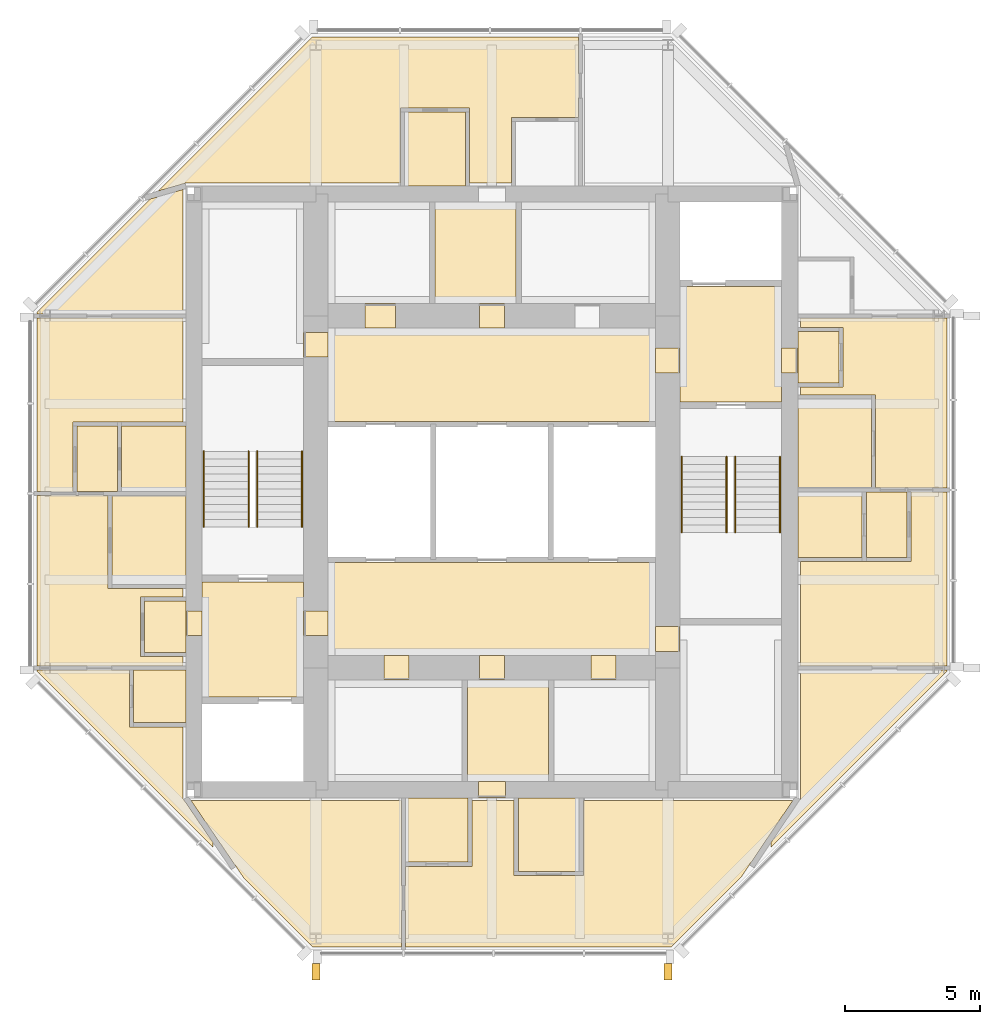
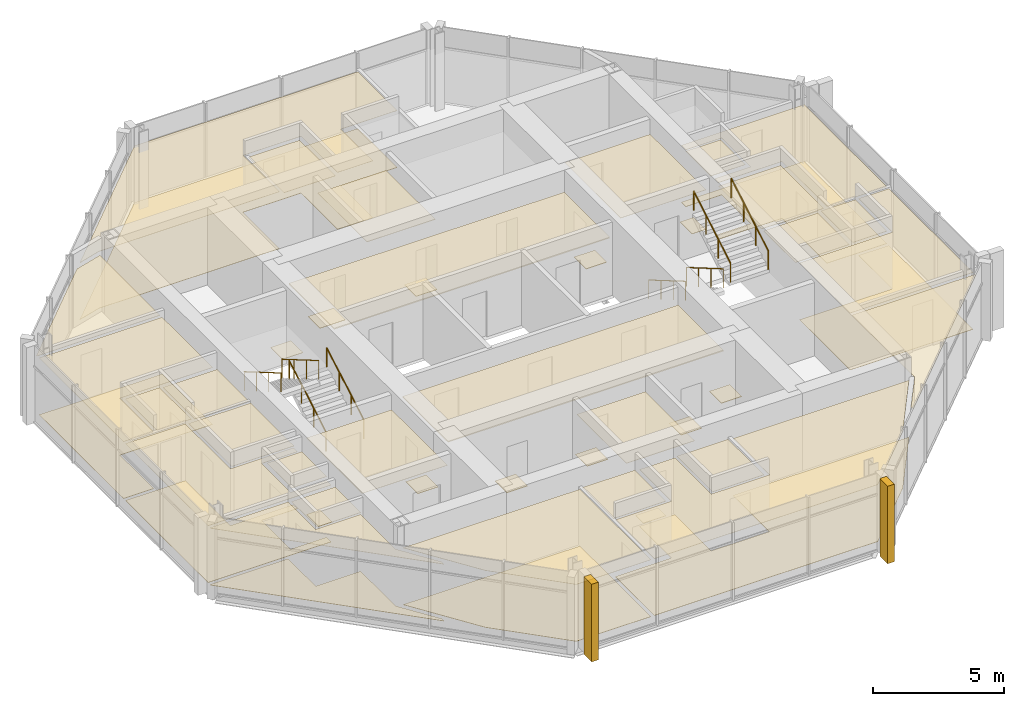
# One storey, part 8 of 9: 50 coverings, 8 railings.
"""IFC4 building model written with IfcOpenShell, lengths in metres."""

from ifc_helpers import new_model, si_unit, direction, frame, origin, origin_2d, place, context, subcontext, project, spatial, polyline, rectangle, circle, outline, extrude, material, layer, layer_set, type_object, element, save


model = new_model("IFC4")

# Units and contexts
model_context = context("Model", 3, precision=1e-05, world=origin(), true_north=direction((0.0, 1.0)))
body_context = subcontext(model_context, "Body", "Model", "MODEL_VIEW")
ifc_project = project(units=[si_unit("LENGTHUNIT", "METRE"), si_unit("AREAUNIT", "SQUARE_METRE"), si_unit("VOLUMEUNIT", "CUBIC_METRE"), si_unit("PLANEANGLEUNIT", "RADIAN"), si_unit("MASSUNIT", "GRAM", prefix="KILO")], contexts=[model_context])

# Site, building, storey
site_placement = place(None, origin())
site = spatial("IfcSite", under=ifc_project, at=site_placement, CompositionType="ELEMENT")
building_placement = place(site_placement, origin())
building = spatial("IfcBuilding", under=site, at=building_placement, Name="Trevanion Tower", CompositionType="ELEMENT")
storey_placement = place(building_placement, frame((0.0, 0.0, 277.60009765625)))
storey = spatial("IfcBuildingStorey", under=building, at=storey_placement, Name="L68", CompositionType="ELEMENT", Elevation=277.60009765625)

# Coverings
ifc_material_1 = material(Name="Fibrous plaster coffers on suspended steel grid", Category="steel")
ifc_layer_1 = layer(ifc_material_1, 0.050048828125)
ifc_layer_set_1 = layer_set([ifc_layer_1], Name="CL1 coffered fibrous plaster ceiling 50")
covering_type_1 = type_object("IfcCoveringType", Name="CL1 coffered fibrous plaster ceiling 50", PredefinedType="CEILING", material=ifc_layer_set_1)
covering_1_placement = place(storey_placement, frame((0.0, 0.0, 2.52978515625)))
element("IfcCovering", 1, at=covering_1_placement, inside=storey, type_object=covering_type_1, Name="CL1 L68-LBN", PredefinedType="CEILING", context=body_context, shape_type="SweptSolid", body=[
    extrude(outline(polyline([(6.050048828125, 2.60009765625), (6.050048828125, 6.050048828125), (-6.050048828125, 6.050048828125), (-6.050048828125, 2.60009765625), (6.050048828125, 2.60009765625)])), origin(), (0.0, 0.0, 1.0), 0.050048828125),
])
covering_2_placement = place(storey_placement, frame((0.0, 0.0, 2.52978515625)))
element("IfcCovering", 2, at=covering_2_placement, inside=storey, type_object=covering_type_1, Name="CL1 L68-LBS", PredefinedType="CEILING", context=body_context, shape_type="SweptSolid", body=[
    extrude(outline(polyline([(6.050048828125, -6.050048828125), (6.050048828125, -2.60009765625), (-6.050048828125, -2.60009765625), (-6.050048828125, -6.050048828125), (6.050048828125, -6.050048828125)])), origin(), (0.0, 0.0, 1.0), 0.050048828125),
])
ifc_material_2 = material(Name="Mineral fibre acoustic tiles in exposed grid", Category="mineral fibre")
ifc_layer_2 = layer(ifc_material_2, 0.02001953125)
ifc_layer_set_2 = layer_set([ifc_layer_2], Name="CL2 acoustic tile ceiling 20")
covering_type_2 = type_object("IfcCoveringType", Name="CL2 acoustic tile ceiling 20", PredefinedType="CEILING", material=ifc_layer_set_2)
covering_3_placement = place(storey_placement, frame((0.0, 0.0, 2.559814453125)))
element("IfcCovering", 3, at=covering_3_placement, inside=storey, type_object=covering_type_2, Name="CL2 L68-CNC", PredefinedType="CEILING", context=body_context, shape_type="SweptSolid", body=[
    extrude(outline(polyline([(0.89990234375, 6.949951171875), (0.89990234375, 10.699951171875), (-2.10009765625, 10.699951171875), (-2.10009765625, 6.949951171875), (0.89990234375, 6.949951171875)])), origin(), (0.0, 0.0, 1.0), 0.02001953125),
])
covering_4_placement = place(storey_placement, frame((0.0, 0.0, 2.559814453125)))
element("IfcCovering", 4, at=covering_4_placement, inside=storey, type_object=covering_type_2, Name="CL2 L68-CSC", PredefinedType="CEILING", context=body_context, shape_type="SweptSolid", body=[
    extrude(outline(polyline([(2.10009765625, -10.699951171875), (2.10009765625, -6.949951171875), (-0.89990234375, -6.949951171875), (-0.89990234375, -10.699951171875), (2.10009765625, -10.699951171875)])), origin(), (0.0, 0.0, 1.0), 0.02001953125),
])
ifc_material_3 = material(Name="Gypsum plasterboard on suspended metal furring", Category="gypsum")
ifc_layer_3 = layer(ifc_material_3, 0.012939453125)
ifc_layer_set_3 = layer_set([ifc_layer_3], Name="CL3 plasterboard ceiling 13")
covering_type_3 = type_object("IfcCoveringType", Name="CL3 plasterboard ceiling 13", PredefinedType="CEILING", material=ifc_layer_set_3)
covering_5_placement = place(storey_placement, frame((0.0, 0.0, 2.699951171875)))
element("IfcCovering", 5, at=covering_5_placement, inside=storey, type_object=covering_type_3, Name="CL3 L68-FV1", PredefinedType="CEILING", context=body_context, shape_type="SweptSolid", body=[
    extrude(outline(polyline([(10.699951171875, 3.324951171875), (10.699951171875, 7.574951171875), (6.949951171875, 7.574951171875), (6.949951171875, 3.324951171875), (10.699951171875, 3.324951171875)])), origin(), (0.0, 0.0, 1.0), 0.012939453125),
])
covering_6_placement = place(storey_placement, frame((0.0, 0.0, 2.699951171875)))
element("IfcCovering", 6, at=covering_6_placement, inside=storey, type_object=covering_type_3, Name="CL3 L68-FV2", PredefinedType="CEILING", context=body_context, shape_type="SweptSolid", body=[
    extrude(outline(polyline([(-10.699951171875, -3.324951171875), (-10.699951171875, -7.574951171875), (-6.949951171875, -7.574951171875), (-6.949951171875, -3.324951171875), (-10.699951171875, -3.324951171875)])), origin(), (0.0, 0.0, 1.0), 0.012939453125),
])
covering_7_placement = place(storey_placement, frame((0.0, 0.0, 2.699951171875)))
element("IfcCovering", 7, at=covering_7_placement, inside=storey, type_object=covering_type_3, Name="CL3 L68-REE", PredefinedType="CEILING", context=body_context, shape_type="SweptSolid", body=[
    extrude(outline(polyline([(12.824951171875, 4.02490234375), (12.824951171875, 5.925048828125), (11.300048828125, 5.925048828125), (11.300048828125, 4.02490234375), (12.824951171875, 4.02490234375)])), origin(), (0.0, 0.0, 1.0), 0.012939453125),
])
covering_8_placement = place(storey_placement, frame((0.0, 0.0, 2.64599609375)))
element("IfcCovering", 8, at=covering_8_placement, inside=storey, type_object=covering_type_3, Name="CL3 L68-REH", PredefinedType="CEILING", context=body_context, shape_type="SweptSolid", body=[
    extrude(outline(polyline([(15.324951171875, -2.425048828125), (15.324951171875, -0.010009765625), (13.824951171875, -0.010009765625), (13.824951171875, -2.425048828125), (15.324951171875, -2.425048828125)])), origin(), (0.0, 0.0, 1.0), 0.012939453125),
])
covering_9_placement = place(storey_placement, frame((0.0, 0.0, 2.640869140625)))
element("IfcCovering", 9, at=covering_9_placement, inside=storey, type_object=covering_type_3, Name="CL3 L68-REY", PredefinedType="CEILING", context=body_context, shape_type="SweptSolid", body=[
    extrude(outline(polyline([(10.300048828125, -13.124267578125), (10.300048828125, -12.962890625), (11.39990234375, -11.33056640625), (11.39990234375, -6.574951171875), (16.800048828125, -6.574951171875), (16.800048828125, -6.624267578125), (10.300048828125, -13.124267578125)])), origin(), (0.0, 0.0, 1.0), 0.012939453125),
])
covering_10_placement = place(storey_placement, frame((0.0, 0.0, 2.640869140625)))
element("IfcCovering", 10, at=covering_10_placement, inside=storey, type_object=covering_type_3, Name="CL3 L68-REB", PredefinedType="CEILING", context=body_context, shape_type="SweptSolid", body=[
    extrude(outline(polyline([(11.39990234375, -6.425048828125), (11.39990234375, -2.574951171875), (15.47509765625, -2.574951171875), (15.47509765625, -0.010009765625), (16.800048828125, -0.010009765625), (16.800048828125, -6.425048828125), (11.39990234375, -6.425048828125)])), origin(), (0.0, 0.0, 1.0), 0.012939453125),
])
covering_11_placement = place(storey_placement, frame((0.0, 0.0, 2.640869140625)))
element("IfcCovering", 11, at=covering_11_placement, inside=storey, type_object=covering_type_3, Name="CL3 L68-REL", PredefinedType="CEILING", context=body_context, shape_type="SweptSolid", body=[
    extrude(outline(polyline([(14.175048828125, 0.139892578125), (14.175048828125, 3.574951171875), (11.39990234375, 3.574951171875), (11.39990234375, 3.875), (12.97509765625, 3.875), (12.97509765625, 6.074951171875), (11.39990234375, 6.074951171875), (11.39990234375, 6.425048828125), (16.800048828125, 6.425048828125), (16.800048828125, 0.139892578125), (14.175048828125, 0.139892578125)])), origin(), (0.0, 0.0, 1.0), 0.012939453125),
])
covering_12_placement = place(storey_placement, frame((0.0, 0.0, 2.640869140625)))
element("IfcCovering", 12, at=covering_12_placement, inside=storey, type_object=covering_type_3, Name="CL3 L68-RNL", PredefinedType="CEILING", context=body_context, shape_type="SweptSolid", body=[
    extrude(outline(polyline([(3.19091796875, 13.824951171875), (0.72509765625, 13.824951171875), (0.72509765625, 11.39990234375), (-0.824951171875, 11.39990234375), (-0.824951171875, 14.175048828125), (-3.375, 14.175048828125), (-3.375, 11.39990234375), (-11.314208984375, 11.39990234375), (-12.313720703125, 11.110595703125), (-6.624267578125, 16.800048828125), (3.19091796875, 16.800048828125), (3.19091796875, 13.824951171875)])), origin(), (0.0, 0.0, 1.0), 0.012939453125),
])
covering_13_placement = place(storey_placement, frame((0.0, 0.0, 2.699951171875)))
element("IfcCovering", 13, at=covering_13_placement, inside=storey, type_object=covering_type_3, Name="CL3 L68-RWE", PredefinedType="CEILING", context=body_context, shape_type="SweptSolid", body=[
    extrude(outline(polyline([(-12.824951171875, -4.02490234375), (-12.824951171875, -5.925048828125), (-11.300048828125, -5.925048828125), (-11.300048828125, -4.02490234375), (-12.824951171875, -4.02490234375)])), origin(), (0.0, 0.0, 1.0), 0.012939453125),
])
covering_14_placement = place(storey_placement, frame((0.0, 0.0, 2.64599609375)))
element("IfcCovering", 14, at=covering_14_placement, inside=storey, type_object=covering_type_3, Name="CL3 L68-RWH", PredefinedType="CEILING", context=body_context, shape_type="SweptSolid", body=[
    extrude(outline(polyline([(-15.324951171875, 2.425048828125), (-15.324951171875, 0.010009765625), (-13.824951171875, 0.010009765625), (-13.824951171875, 2.425048828125), (-15.324951171875, 2.425048828125)])), origin(), (0.0, 0.0, 1.0), 0.012939453125),
])
covering_15_placement = place(storey_placement, frame((0.0, 0.0, 2.640869140625)))
element("IfcCovering", 15, at=covering_15_placement, inside=storey, type_object=covering_type_3, Name="CL3 L68-RWY", PredefinedType="CEILING", context=body_context, shape_type="SweptSolid", body=[
    extrude(outline(polyline([(-12.606689453125, 10.817626953125), (-11.39990234375, 11.1669921875), (-11.39990234375, 6.574951171875), (-16.800048828125, 6.574951171875), (-16.800048828125, 6.624267578125), (-12.606689453125, 10.817626953125)])), origin(), (0.0, 0.0, 1.0), 0.012939453125),
])
covering_16_placement = place(storey_placement, frame((0.0, 0.0, 2.640869140625)))
element("IfcCovering", 16, at=covering_16_placement, inside=storey, type_object=covering_type_3, Name="CL3 L68-RWB", PredefinedType="CEILING", context=body_context, shape_type="SweptSolid", body=[
    extrude(outline(polyline([(-11.39990234375, 6.425048828125), (-11.39990234375, 2.574951171875), (-15.47509765625, 2.574951171875), (-15.47509765625, 0.010009765625), (-16.800048828125, 0.010009765625), (-16.800048828125, 6.425048828125), (-11.39990234375, 6.425048828125)])), origin(), (0.0, 0.0, 1.0), 0.012939453125),
])
covering_17_placement = place(storey_placement, frame((0.0, 0.0, 2.640869140625)))
element("IfcCovering", 17, at=covering_17_placement, inside=storey, type_object=covering_type_3, Name="CL3 L68-RWL", PredefinedType="CEILING", context=body_context, shape_type="SweptSolid", body=[
    extrude(outline(polyline([(-14.175048828125, -0.139892578125), (-14.175048828125, -3.574951171875), (-11.39990234375, -3.574951171875), (-11.39990234375, -3.875), (-12.97509765625, -3.875), (-12.97509765625, -6.074951171875), (-11.39990234375, -6.074951171875), (-11.39990234375, -6.425048828125), (-16.800048828125, -6.425048828125), (-16.800048828125, -0.139892578125), (-14.175048828125, -0.139892578125)])), origin(), (0.0, 0.0, 1.0), 0.012939453125),
])
covering_18_placement = place(storey_placement, frame((0.0, 0.0, 2.640869140625)))
element("IfcCovering", 18, at=covering_18_placement, inside=storey, type_object=covering_type_3, Name="CL3 L68-RWB2", PredefinedType="CEILING", context=body_context, shape_type="SweptSolid", body=[
    extrude(outline(polyline([(-13.375, -6.574951171875), (-13.375, -8.675048828125), (-11.39990234375, -8.675048828125), (-11.39990234375, -11.330810546875), (-10.300048828125, -12.94384765625), (-10.300048828125, -13.124267578125), (-16.800048828125, -6.624267578125), (-16.800048828125, -6.574951171875), (-13.375, -6.574951171875)])), origin(), (0.0, 0.0, 1.0), 0.012939453125),
])
covering_19_placement = place(storey_placement, frame((0.0, 0.0, 2.640869140625)))
element("IfcCovering", 19, at=covering_19_placement, inside=storey, type_object=covering_type_3, Name="CL3 L68-RSB", PredefinedType="CEILING", context=body_context, shape_type="SweptSolid", body=[
    extrude(outline(polyline([(-11.11083984375, -11.39990234375), (-3.341064453125, -11.39990234375), (-3.341064453125, -16.800048828125), (-6.624267578125, -16.800048828125), (-9.15185546875, -14.272216796875), (-11.11083984375, -11.39990234375)])), origin(), (0.0, 0.0, 1.0), 0.012939453125),
])
covering_20_placement = place(storey_placement, frame((0.0, 0.0, 2.640869140625)))
element("IfcCovering", 20, at=covering_20_placement, inside=storey, type_object=covering_type_3, Name="CL3 L68-RSL", PredefinedType="CEILING", context=body_context, shape_type="SweptSolid", body=[
    extrude(outline(polyline([(9.227294921875, -14.197021484375), (6.624267578125, -16.800048828125), (-3.19091796875, -16.800048828125), (-3.19091796875, -13.824951171875), (-0.72509765625, -13.824951171875), (-0.72509765625, -11.39990234375), (0.824951171875, -11.39990234375), (0.824951171875, -14.175048828125), (3.375, -14.175048828125), (3.375, -11.39990234375), (11.112060546875, -11.39990234375), (9.227294921875, -14.197021484375)])), origin(), (0.0, 0.0, 1.0), 0.012939453125),
])
ifc_material_4 = material(Name="Moisture-resistant gypsum board on suspended metal furring", Category="gypsum")
ifc_layer_4 = layer(ifc_material_4, 0.01611328125)
ifc_layer_set_4 = layer_set([ifc_layer_4], Name="CL4 moisture-resistant board ceiling 16")
covering_type_4 = type_object("IfcCoveringType", Name="CL4 moisture-resistant board ceiling 16", PredefinedType="CEILING", material=ifc_layer_set_4)
covering_21_placement = place(storey_placement, frame((0.0, 0.0, 2.599853515625)))
element("IfcCovering", 21, at=covering_21_placement, inside=storey, type_object=covering_type_4, Name="CL4 L68-REK", PredefinedType="CEILING", context=body_context, shape_type="SweptSolid", body=[
    extrude(outline(polyline([(14.02490234375, 0.139892578125), (14.02490234375, 3.425048828125), (11.300048828125, 3.425048828125), (11.300048828125, 0.139892578125), (14.02490234375, 0.139892578125)])), origin(), (0.0, 0.0, 1.0), 0.01611328125),
])
covering_22_placement = place(storey_placement, frame((0.0, 0.0, 2.599853515625)))
element("IfcCovering", 22, at=covering_22_placement, inside=storey, type_object=covering_type_4, Name="CL4 L68-RET", PredefinedType="CEILING", context=body_context, shape_type="SweptSolid", body=[
    extrude(outline(polyline([(13.675048828125, -2.425048828125), (13.675048828125, -0.010009765625), (11.300048828125, -0.010009765625), (11.300048828125, -2.425048828125), (13.675048828125, -2.425048828125)])), origin(), (0.0, 0.0, 1.0), 0.01611328125),
])
covering_23_placement = place(storey_placement, frame((0.0, 0.0, 2.599853515625)))
element("IfcCovering", 23, at=covering_23_placement, inside=storey, type_object=covering_type_4, Name="CL4 L68-RNK", PredefinedType="CEILING", context=body_context, shape_type="SweptSolid", body=[
    extrude(outline(polyline([(-0.97509765625, 14.02490234375), (-3.22509765625, 14.02490234375), (-3.22509765625, 11.300048828125), (-0.97509765625, 11.300048828125), (-0.97509765625, 14.02490234375)])), origin(), (0.0, 0.0, 1.0), 0.01611328125),
])
covering_24_placement = place(storey_placement, frame((0.0, 0.0, 2.599853515625)))
element("IfcCovering", 24, at=covering_24_placement, inside=storey, type_object=covering_type_4, Name="CL4 L68-RWK", PredefinedType="CEILING", context=body_context, shape_type="SweptSolid", body=[
    extrude(outline(polyline([(-14.02490234375, -0.139892578125), (-14.02490234375, -3.425048828125), (-11.300048828125, -3.425048828125), (-11.300048828125, -0.139892578125), (-14.02490234375, -0.139892578125)])), origin(), (0.0, 0.0, 1.0), 0.01611328125),
])
covering_25_placement = place(storey_placement, frame((0.0, 0.0, 2.599853515625)))
element("IfcCovering", 25, at=covering_25_placement, inside=storey, type_object=covering_type_4, Name="CL4 L68-RWW", PredefinedType="CEILING", context=body_context, shape_type="SweptSolid", body=[
    extrude(outline(polyline([(-13.22509765625, -6.574951171875), (-13.22509765625, -8.52490234375), (-11.300048828125, -8.52490234375), (-11.300048828125, -6.574951171875), (-13.22509765625, -6.574951171875)])), origin(), (0.0, 0.0, 1.0), 0.01611328125),
])
covering_26_placement = place(storey_placement, frame((0.0, 0.0, 2.599853515625)))
element("IfcCovering", 26, at=covering_26_placement, inside=storey, type_object=covering_type_4, Name="CL4 L68-RWT", PredefinedType="CEILING", context=body_context, shape_type="SweptSolid", body=[
    extrude(outline(polyline([(-13.675048828125, 2.425048828125), (-13.675048828125, 0.010009765625), (-11.300048828125, 0.010009765625), (-11.300048828125, 2.425048828125), (-13.675048828125, 2.425048828125)])), origin(), (0.0, 0.0, 1.0), 0.01611328125),
])
covering_27_placement = place(storey_placement, frame((0.0, 0.0, 2.599853515625)))
element("IfcCovering", 27, at=covering_27_placement, inside=storey, type_object=covering_type_4, Name="CL4 L68-RSK", PredefinedType="CEILING", context=body_context, shape_type="SweptSolid", body=[
    extrude(outline(polyline([(0.97509765625, -14.02490234375), (3.22509765625, -14.02490234375), (3.22509765625, -11.300048828125), (0.97509765625, -11.300048828125), (0.97509765625, -14.02490234375)])), origin(), (0.0, 0.0, 1.0), 0.01611328125),
])
covering_28_placement = place(storey_placement, frame((0.0, 0.0, 2.599853515625)))
element("IfcCovering", 28, at=covering_28_placement, inside=storey, type_object=covering_type_4, Name="CL4 L68-RST", PredefinedType="CEILING", context=body_context, shape_type="SweptSolid", body=[
    extrude(outline(polyline([(-3.19091796875, -13.675048828125), (-0.875, -13.675048828125), (-0.875, -11.300048828125), (-3.19091796875, -11.300048828125), (-3.19091796875, -13.675048828125)])), origin(), (0.0, 0.0, 1.0), 0.01611328125),
])
ifc_material_5 = material(Name="Cast bronze fin on aluminium carrier", Category="aluminium")
covering_type_5 = type_object("IfcCoveringType", Name="F1 bronze fin", PredefinedType="CLADDING", material=ifc_material_5)
for number, where, z_axis, x_axis, name in (
    (29, (-6.5, -17.72509765625, -0.190185546875), (0.0, 0.0, 1.0), (1.0, 0.0, 0.0), "F1 L68 south -6.5"),
    (30, (6.5, -17.72509765625, -0.190185546875), (0.0, 0.0, 1.0), (1.0, 0.0, 0.0), "F1 L68 south +6.5"),
):
    element("IfcCovering", number, at=place(storey_placement, frame(where, z_axis=z_axis, x_axis=x_axis)), inside=storey, type_object=covering_type_5, Name=name, PredefinedType="CLADDING", context=body_context, shape_type="SweptSolid", body=[
        extrude(rectangle(XDim=0.300048828125, YDim=0.60009765625, at=origin_2d()), origin(), (0.0, 0.0, 1.0), 3.60009765625),
    ])
ifc_material_6 = material(Name="Terrazzo, brass divider strips", Category="stone")
ifc_layer_5 = layer(ifc_material_6, 0.02001953125)
ifc_layer_set_5 = layer_set([ifc_layer_5], Name="FF1 terrazzo flooring")
covering_type_6 = type_object("IfcCoveringType", Name="FF1 terrazzo flooring", PredefinedType="FLOORING", material=ifc_layer_set_5)
covering_29_placement = place(storey_placement, origin())
element("IfcCovering", 31, at=covering_29_placement, inside=storey, type_object=covering_type_6, Name="FF1 threshold 68-001", PredefinedType="FLOORING", context=body_context, shape_type="SweptSolid", body=[
    extrude(outline(polyline([(11.300048828125, 4.392578125), (11.300048828125, 5.3076171875), (10.699951171875, 5.3076171875), (10.699951171875, 4.392578125), (11.300048828125, 4.392578125)])), origin(), (0.0, 0.0, 1.0), 0.02001953125),
])
covering_30_placement = place(storey_placement, origin())
element("IfcCovering", 32, at=covering_30_placement, inside=storey, type_object=covering_type_6, Name="FF1 threshold 68-002", PredefinedType="FLOORING", context=body_context, shape_type="SweptSolid", body=[
    extrude(outline(polyline([(-11.300048828125, -4.392578125), (-11.300048828125, -5.3076171875), (-10.699951171875, -5.3076171875), (-10.699951171875, -4.392578125), (-11.300048828125, -4.392578125)])), origin(), (0.0, 0.0, 1.0), 0.02001953125),
])
covering_31_placement = place(storey_placement, origin())
element("IfcCovering", 33, at=covering_31_placement, inside=storey, type_object=covering_type_6, Name="FF1 threshold 68-003", PredefinedType="FLOORING", context=body_context, shape_type="SweptSolid", body=[
    extrude(outline(polyline([(6.949951171875, 4.392578125), (6.949951171875, 5.3076171875), (6.050048828125, 5.3076171875), (6.050048828125, 4.392578125), (6.949951171875, 4.392578125)])), origin(), (0.0, 0.0, 1.0), 0.02001953125),
])
covering_32_placement = place(storey_placement, origin())
element("IfcCovering", 34, at=covering_32_placement, inside=storey, type_object=covering_type_6, Name="FF1 threshold 68-004", PredefinedType="FLOORING", context=body_context, shape_type="SweptSolid", body=[
    extrude(outline(polyline([(-6.949951171875, -4.392578125), (-6.949951171875, -5.3076171875), (-6.050048828125, -5.3076171875), (-6.050048828125, -4.392578125), (-6.949951171875, -4.392578125)])), origin(), (0.0, 0.0, 1.0), 0.02001953125),
])
covering_33_placement = place(storey_placement, origin())
element("IfcCovering", 35, at=covering_33_placement, inside=storey, type_object=covering_type_6, Name="FF1 threshold 68-009", PredefinedType="FLOORING", context=body_context, shape_type="SweptSolid", body=[
    extrude(outline(polyline([(6.949951171875, -5.889892578125), (6.949951171875, -4.97509765625), (6.050048828125, -4.97509765625), (6.050048828125, -5.889892578125), (6.949951171875, -5.889892578125)])), origin(), (0.0, 0.0, 1.0), 0.02001953125),
])
covering_34_placement = place(storey_placement, origin())
element("IfcCovering", 36, at=covering_34_placement, inside=storey, type_object=covering_type_6, Name="FF1 threshold 68-010", PredefinedType="FLOORING", context=body_context, shape_type="SweptSolid", body=[
    extrude(outline(polyline([(-6.949951171875, 5.889892578125), (-6.949951171875, 4.97509765625), (-6.050048828125, 4.97509765625), (-6.050048828125, 5.889892578125), (-6.949951171875, 5.889892578125)])), origin(), (0.0, 0.0, 1.0), 0.02001953125),
])
covering_35_placement = place(storey_placement, origin())
element("IfcCovering", 37, at=covering_35_placement, inside=storey, type_object=covering_type_6, Name="FF1 threshold 68-017", PredefinedType="FLOORING", context=body_context, shape_type="SweptSolid", body=[
    extrude(outline(polyline([(0.45751953125, 6.949951171875), (-0.45751953125, 6.949951171875), (-0.45751953125, 6.050048828125), (0.45751953125, 6.050048828125), (0.45751953125, 6.949951171875)])), origin(), (0.0, 0.0, 1.0), 0.02001953125),
])
covering_36_placement = place(storey_placement, origin())
element("IfcCovering", 38, at=covering_36_placement, inside=storey, type_object=covering_type_6, Name="FF1 threshold 68-019", PredefinedType="FLOORING", context=body_context, shape_type="SweptSolid", body=[
    extrude(outline(polyline([(-3.56591796875, 6.949951171875), (-4.68408203125, 6.949951171875), (-4.68408203125, 6.050048828125), (-3.56591796875, 6.050048828125), (-3.56591796875, 6.949951171875)])), origin(), (0.0, 0.0, 1.0), 0.02001953125),
])
covering_37_placement = place(storey_placement, origin())
element("IfcCovering", 39, at=covering_37_placement, inside=storey, type_object=covering_type_6, Name="FF1 threshold 68-021", PredefinedType="FLOORING", context=body_context, shape_type="SweptSolid", body=[
    extrude(outline(polyline([(-0.45751953125, -6.949951171875), (0.45751953125, -6.949951171875), (0.45751953125, -6.050048828125), (-0.45751953125, -6.050048828125), (-0.45751953125, -6.949951171875)])), origin(), (0.0, 0.0, 1.0), 0.02001953125),
])
covering_38_placement = place(storey_placement, origin())
element("IfcCovering", 40, at=covering_38_placement, inside=storey, type_object=covering_type_6, Name="FF1 threshold 68-022", PredefinedType="FLOORING", context=body_context, shape_type="SweptSolid", body=[
    extrude(outline(polyline([(-0.5, -11.300048828125), (0.5, -11.300048828125), (0.5, -10.699951171875), (-0.5, -10.699951171875), (-0.5, -11.300048828125)])), origin(), (0.0, 0.0, 1.0), 0.02001953125),
])
covering_39_placement = place(storey_placement, origin())
element("IfcCovering", 41, at=covering_39_placement, inside=storey, type_object=covering_type_6, Name="FF1 threshold 68-023", PredefinedType="FLOORING", context=body_context, shape_type="SweptSolid", body=[
    extrude(outline(polyline([(-3.982421875, -6.949951171875), (-3.0673828125, -6.949951171875), (-3.0673828125, -6.050048828125), (-3.982421875, -6.050048828125), (-3.982421875, -6.949951171875)])), origin(), (0.0, 0.0, 1.0), 0.02001953125),
])
covering_40_placement = place(storey_placement, origin())
element("IfcCovering", 42, at=covering_40_placement, inside=storey, type_object=covering_type_6, Name="FF1 threshold 68-024", PredefinedType="FLOORING", context=body_context, shape_type="SweptSolid", body=[
    extrude(outline(polyline([(3.66748046875, -6.949951171875), (4.58251953125, -6.949951171875), (4.58251953125, -6.050048828125), (3.66748046875, -6.050048828125), (3.66748046875, -6.949951171875)])), origin(), (0.0, 0.0, 1.0), 0.02001953125),
])
ifc_material_7 = material(Name="Engineered oak", Category="wood")
ifc_layer_6 = layer(ifc_material_7, 0.014892578125)
ifc_layer_set_6 = layer_set([ifc_layer_6], Name="FF3 timber flooring")
covering_type_7 = type_object("IfcCoveringType", Name="FF3 timber flooring", PredefinedType="FLOORING", material=ifc_layer_set_6)
covering_41_placement = place(storey_placement, origin())
element("IfcCovering", 43, at=covering_41_placement, inside=storey, type_object=covering_type_7, Name="FF3 L68-REB", PredefinedType="FLOORING", context=body_context, shape_type="SweptSolid", body=[
    extrude(outline(polyline([(11.39990234375, -6.425048828125), (11.39990234375, -2.574951171875), (15.47509765625, -2.574951171875), (15.47509765625, -0.010009765625), (16.800048828125, -0.010009765625), (16.800048828125, -6.425048828125), (11.39990234375, -6.425048828125)])), origin(), (0.0, 0.0, 1.0), 0.014892578125),
])
covering_42_placement = place(storey_placement, origin())
element("IfcCovering", 44, at=covering_42_placement, inside=storey, type_object=covering_type_7, Name="FF3 L68-REL", PredefinedType="FLOORING", context=body_context, shape_type="SweptSolid", body=[
    extrude(outline(polyline([(14.175048828125, 0.139892578125), (14.175048828125, 3.574951171875), (11.39990234375, 3.574951171875), (11.39990234375, 3.875), (12.97509765625, 3.875), (12.97509765625, 6.074951171875), (11.39990234375, 6.074951171875), (11.39990234375, 6.425048828125), (16.800048828125, 6.425048828125), (16.800048828125, 0.139892578125), (14.175048828125, 0.139892578125)])), origin(), (0.0, 0.0, 1.0), 0.014892578125),
])
covering_43_placement = place(storey_placement, origin())
element("IfcCovering", 45, at=covering_43_placement, inside=storey, type_object=covering_type_7, Name="FF3 L68-RNL", PredefinedType="FLOORING", context=body_context, shape_type="SweptSolid", body=[
    extrude(outline(polyline([(3.19091796875, 13.824951171875), (0.72509765625, 13.824951171875), (0.72509765625, 11.39990234375), (-0.824951171875, 11.39990234375), (-0.824951171875, 14.175048828125), (-3.375, 14.175048828125), (-3.375, 11.39990234375), (-11.314208984375, 11.39990234375), (-12.313720703125, 11.110595703125), (-6.624267578125, 16.800048828125), (3.19091796875, 16.800048828125), (3.19091796875, 13.824951171875)])), origin(), (0.0, 0.0, 1.0), 0.014892578125),
])
covering_44_placement = place(storey_placement, origin())
element("IfcCovering", 46, at=covering_44_placement, inside=storey, type_object=covering_type_7, Name="FF3 L68-RWB", PredefinedType="FLOORING", context=body_context, shape_type="SweptSolid", body=[
    extrude(outline(polyline([(-11.39990234375, 6.425048828125), (-11.39990234375, 2.574951171875), (-15.47509765625, 2.574951171875), (-15.47509765625, 0.010009765625), (-16.800048828125, 0.010009765625), (-16.800048828125, 6.425048828125), (-11.39990234375, 6.425048828125)])), origin(), (0.0, 0.0, 1.0), 0.014892578125),
])
covering_45_placement = place(storey_placement, origin())
element("IfcCovering", 47, at=covering_45_placement, inside=storey, type_object=covering_type_7, Name="FF3 L68-RWL", PredefinedType="FLOORING", context=body_context, shape_type="SweptSolid", body=[
    extrude(outline(polyline([(-14.175048828125, -0.139892578125), (-14.175048828125, -3.574951171875), (-11.39990234375, -3.574951171875), (-11.39990234375, -3.875), (-12.97509765625, -3.875), (-12.97509765625, -6.074951171875), (-11.39990234375, -6.074951171875), (-11.39990234375, -6.425048828125), (-16.800048828125, -6.425048828125), (-16.800048828125, -0.139892578125), (-14.175048828125, -0.139892578125)])), origin(), (0.0, 0.0, 1.0), 0.014892578125),
])
covering_46_placement = place(storey_placement, origin())
element("IfcCovering", 48, at=covering_46_placement, inside=storey, type_object=covering_type_7, Name="FF3 L68-RWB2", PredefinedType="FLOORING", context=body_context, shape_type="SweptSolid", body=[
    extrude(outline(polyline([(-13.375, -6.574951171875), (-13.375, -8.675048828125), (-11.39990234375, -8.675048828125), (-11.39990234375, -11.330810546875), (-10.300048828125, -12.94384765625), (-10.300048828125, -13.124267578125), (-16.800048828125, -6.624267578125), (-16.800048828125, -6.574951171875), (-13.375, -6.574951171875)])), origin(), (0.0, 0.0, 1.0), 0.014892578125),
])
covering_47_placement = place(storey_placement, origin())
element("IfcCovering", 49, at=covering_47_placement, inside=storey, type_object=covering_type_7, Name="FF3 L68-RSB", PredefinedType="FLOORING", context=body_context, shape_type="SweptSolid", body=[
    extrude(outline(polyline([(-11.11083984375, -11.39990234375), (-3.341064453125, -11.39990234375), (-3.341064453125, -16.800048828125), (-6.624267578125, -16.800048828125), (-9.15185546875, -14.272216796875), (-11.11083984375, -11.39990234375)])), origin(), (0.0, 0.0, 1.0), 0.014892578125),
])
covering_48_placement = place(storey_placement, origin())
element("IfcCovering", 50, at=covering_48_placement, inside=storey, type_object=covering_type_7, Name="FF3 L68-RSL", PredefinedType="FLOORING", context=body_context, shape_type="SweptSolid", body=[
    extrude(outline(polyline([(9.227294921875, -14.197021484375), (6.624267578125, -16.800048828125), (-3.19091796875, -16.800048828125), (-3.19091796875, -13.824951171875), (-0.72509765625, -13.824951171875), (-0.72509765625, -11.39990234375), (0.824951171875, -11.39990234375), (0.824951171875, -14.175048828125), (3.375, -14.175048828125), (3.375, -11.39990234375), (11.112060546875, -11.39990234375), (9.227294921875, -14.197021484375)])), origin(), (0.0, 0.0, 1.0), 0.014892578125),
])

# Railings
ifc_material_8 = material(Name="Stainless steel tube 40 mm", Category="steel")
railing_type = type_object("IfcRailingType", Name="HR1 handrail", PredefinedType="HANDRAIL", material=ifc_material_8)
for number, where, name in (
    (51, (7.010009765625, 1.300048828125, 0.16357421875), "HR1 ST1 L68 flight 1"),
    (52, (8.6650390625, 1.300048828125, 0.16357421875), "HR1 ST1 L68 flight 1"),
):
    element("IfcRailing", number, at=place(storey_placement, frame(where)), inside=storey, type_object=railing_type, Name=name, PredefinedType="HANDRAIL", context=body_context, shape_type="SweptSolid", body=[
        extrude(circle(Radius=0.02001953125, at=origin_2d()), frame((0.0, 0.0, 0.8798828125), z_axis=(0.0, -0.863393664356, 0.504530851732), x_axis=(1.0, 0.0, 0.0)), (0.0, 0.0, 1.0), 3.2431640625),
        extrude(circle(Radius=0.01513671875, at=origin_2d()), origin(), (0.0, 0.0, 1.0), 0.85986328125),
        extrude(circle(Radius=0.01513671875, at=origin_2d()), frame((0.0, -0.933349609375, 0.54541015625)), (0.0, 0.0, 1.0), 0.85986328125),
        extrude(circle(Radius=0.01513671875, at=origin_2d()), frame((0.0, -1.86669921875, 1.0908203125)), (0.0, 0.0, 1.0), 0.85986328125),
        extrude(circle(Radius=0.01513671875, at=origin_2d()), frame((0.0, -2.800048828125, 1.63623046875)), (0.0, 0.0, 1.0), 0.85986328125),
    ])
for number, where, name in (
    (53, (8.985107421875, -1.5, 1.963623046875), "HR1 ST1 L68 flight 2"),
    (54, (10.639892578125, -1.5, 1.963623046875), "HR1 ST1 L68 flight 2"),
    (55, (-7.010009765625, -1.300048828125, 0.16357421875), "HR1 ST2 L68 flight 1"),
    (56, (-8.6650390625, -1.300048828125, 0.16357421875), "HR1 ST2 L68 flight 1"),
):
    element("IfcRailing", number, at=place(storey_placement, frame(where)), inside=storey, type_object=railing_type, Name=name, PredefinedType="HANDRAIL", context=body_context, shape_type="SweptSolid", body=[
        extrude(circle(Radius=0.02001953125, at=origin_2d()), frame((0.0, 0.0, 0.8798828125), z_axis=(0.0, 0.863393664356, 0.504530851732), x_axis=(-1.0, 0.0, 0.0)), (0.0, 0.0, 1.0), 3.2431640625),
        extrude(circle(Radius=0.01513671875, at=origin_2d()), origin(), (0.0, 0.0, 1.0), 0.85986328125),
        extrude(circle(Radius=0.01513671875, at=origin_2d()), frame((0.0, 0.933349609375, 0.54541015625)), (0.0, 0.0, 1.0), 0.85986328125),
        extrude(circle(Radius=0.01513671875, at=origin_2d()), frame((0.0, 1.86669921875, 1.0908203125)), (0.0, 0.0, 1.0), 0.85986328125),
        extrude(circle(Radius=0.01513671875, at=origin_2d()), frame((0.0, 2.800048828125, 1.63623046875)), (0.0, 0.0, 1.0), 0.85986328125),
    ])
for number, where, name in (
    (57, (-8.985107421875, 1.5, 1.963623046875), "HR1 ST2 L68 flight 2"),
    (58, (-10.639892578125, 1.5, 1.963623046875), "HR1 ST2 L68 flight 2"),
):
    element("IfcRailing", number, at=place(storey_placement, frame(where)), inside=storey, type_object=railing_type, Name=name, PredefinedType="HANDRAIL", context=body_context, shape_type="SweptSolid", body=[
        extrude(circle(Radius=0.02001953125, at=origin_2d()), frame((0.0, 0.0, 0.8798828125), z_axis=(0.0, -0.863393664356, 0.504530851732), x_axis=(1.0, 0.0, 0.0)), (0.0, 0.0, 1.0), 3.2431640625),
        extrude(circle(Radius=0.01513671875, at=origin_2d()), origin(), (0.0, 0.0, 1.0), 0.85986328125),
        extrude(circle(Radius=0.01513671875, at=origin_2d()), frame((0.0, -0.933349609375, 0.54541015625)), (0.0, 0.0, 1.0), 0.85986328125),
        extrude(circle(Radius=0.01513671875, at=origin_2d()), frame((0.0, -1.86669921875, 1.0908203125)), (0.0, 0.0, 1.0), 0.85986328125),
        extrude(circle(Radius=0.01513671875, at=origin_2d()), frame((0.0, -2.800048828125, 1.63623046875)), (0.0, 0.0, 1.0), 0.85986328125),
    ])

save(model, "model.ifc")
